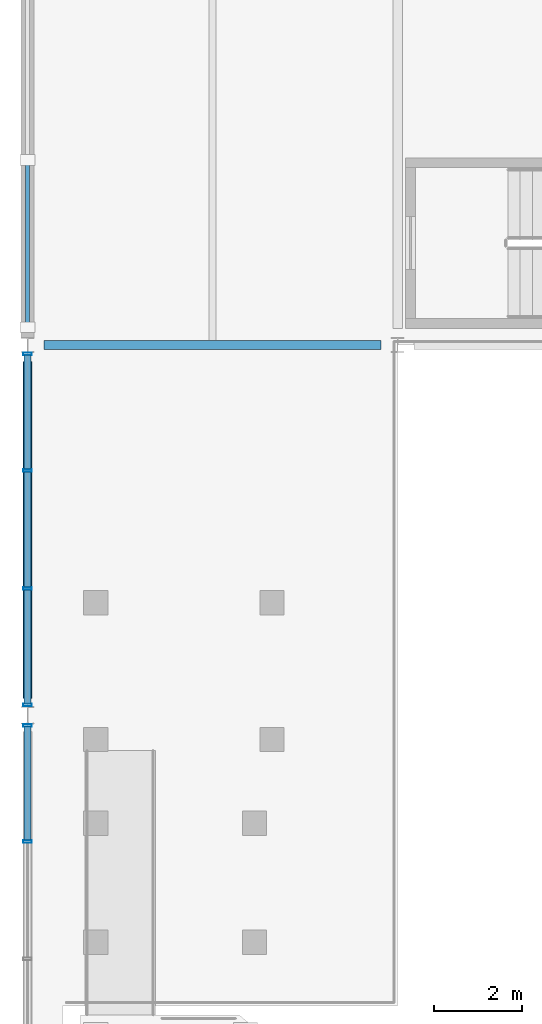
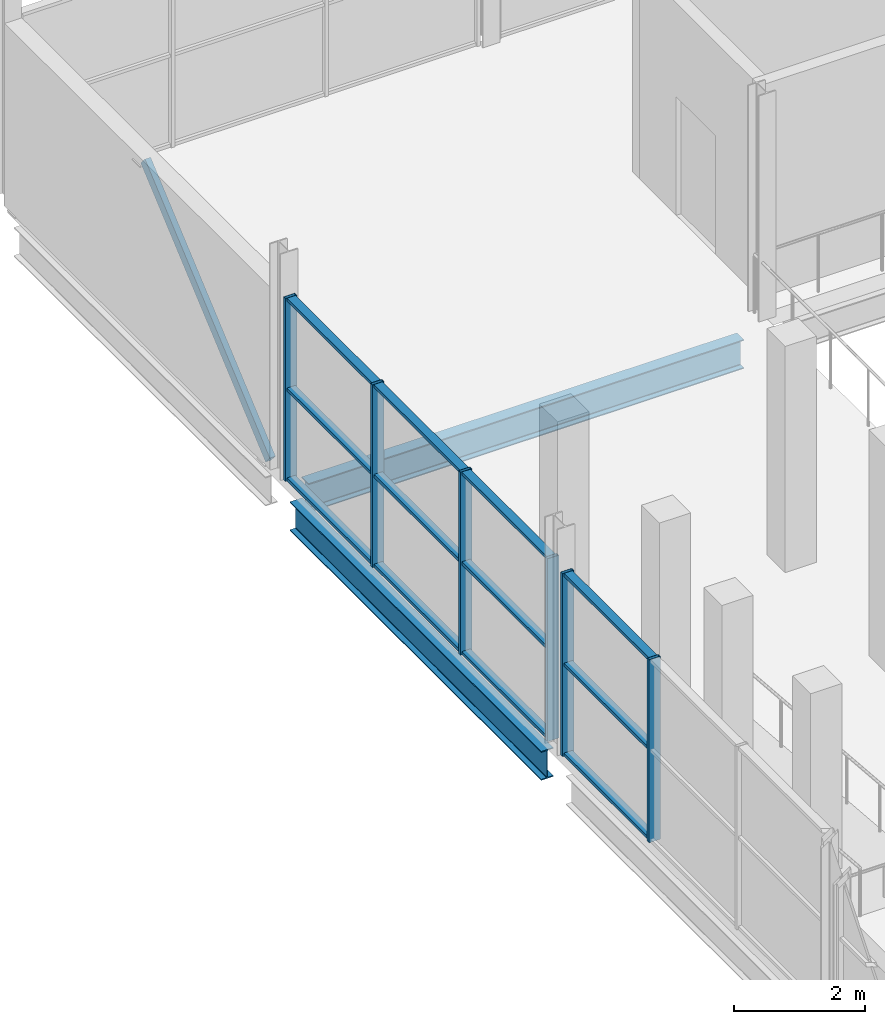
# One storey, part 48 of 161: 19 members, 2 beams, 2 elements without a shape of their own.
"""IFC4 building model written with IfcOpenShell, lengths in metres."""

from ifc_helpers import new_model, si_unit, direction, frame, origin, origin_2d, place, context, subcontext, project, spatial, hollow_rectangle, i_section, extrude, material, material_profile, profile_set, type_object, element, aggregate, save


model = new_model("IFC4")

# Units and contexts
model_context = context("Model", 3, precision=1e-05, world=origin(), true_north=direction((0.0, 1.0)))
body_context = subcontext(model_context, "Body", "Model", "MODEL_VIEW")
ifc_project = project(units=[si_unit("LENGTHUNIT", "METRE"), si_unit("AREAUNIT", "SQUARE_METRE"), si_unit("VOLUMEUNIT", "CUBIC_METRE"), si_unit("PLANEANGLEUNIT", "RADIAN"), si_unit("MASSUNIT", "GRAM", prefix="KILO"), si_unit("THERMODYNAMICTEMPERATUREUNIT", "KELVIN")], contexts=[model_context])

# Site, building, storey
site_placement = place(None, origin())
site = spatial("IfcSite", under=ifc_project, at=site_placement, CompositionType="ELEMENT")
building_placement = place(site_placement, origin())
building = spatial("IfcBuilding", under=site, at=building_placement, Name="Nduvali Passage Aquatics Centre", CompositionType="ELEMENT")
storey_placement = place(building_placement, frame((0.0, 0.0, 4.800048828125)))
storey = spatial("IfcBuildingStorey", under=building, at=storey_placement, Name="L01", CompositionType="ELEMENT", Elevation=4.800048828125)

# Curtain wall, members
ifc_material_1 = material(Name="Aluminium EN AW-6063 T6", Category="aluminium")
curtain_wall_type = type_object("IfcCurtainWallType", Name="ENV-CW-DIVE", PredefinedType="NOTDEFINED", material=ifc_material_1)
curtain_wall_1_placement = place(storey_placement, origin())
curtain_wall_1 = element("IfcCurtainWall", 1, at=curtain_wall_1_placement, inside=storey, type_object=curtain_wall_type, Name="L01 West Diving Tower Viewing CW 138", PredefinedType="NOTDEFINED")
ifc_material_profile_1 = material_profile(ifc_material_1, hollow_rectangle(XDim=0.06005859375, YDim=0.199951171875, WallThickness=0.00390625, at=origin_2d()), Name="ALU MULLION 60x200x4")
ifc_profile_set_1 = profile_set([ifc_material_profile_1], Name="Aluminium EN AW-6063 T6")
member_type_1 = type_object("IfcMemberType", Name="ENV-MEM-MUL80", PredefinedType="MULLION", material=ifc_profile_set_1)
member_1_placement = place(storey_placement, frame((0.0, 64.333251953125, 0.0), z_axis=(0.0, 0.0, 1.0), x_axis=(0.0, 1.0, 0.0)))
member_1 = element("IfcMember", 2, at=member_1_placement, type_object=member_type_1, Name="West Diving Tower Viewing CW Mullion 3", PredefinedType="MULLION", context=body_context, shape_type="SweptSolid", body=[
    extrude(hollow_rectangle(XDim=0.06005859375, YDim=0.199951171875, WallThickness=0.00390625, at=origin_2d()), origin(), (0.0, 0.0, 1.0), 3.396484375),
])
member_2_placement = place(storey_placement, frame((0.0, 66.969970703125, 0.0), z_axis=(0.0, 0.0, 1.0), x_axis=(0.0, 1.0, 0.0)))
member_2 = element("IfcMember", 3, at=member_2_placement, type_object=member_type_1, Name="West Diving Tower Viewing CW Mullion 4", PredefinedType="MULLION", context=body_context, shape_type="SweptSolid", body=[
    extrude(hollow_rectangle(XDim=0.06005859375, YDim=0.199951171875, WallThickness=0.00390625, at=origin_2d()), origin(), (0.0, 0.0, 1.0), 3.396484375),
])

curtain_wall_2_placement = place(storey_placement, origin())
curtain_wall_2 = element("IfcCurtainWall", 4, at=curtain_wall_2_placement, inside=storey, type_object=curtain_wall_type, Name="L01 West Diving Tower Viewing CW 143", PredefinedType="NOTDEFINED")
member_3_placement = place(storey_placement, frame((0.0, 67.429931640625, 0.0), z_axis=(0.0, 0.0, 1.0), x_axis=(0.0, 1.0, 0.0)))
member_3 = element("IfcMember", 5, at=member_3_placement, type_object=member_type_1, Name="West Diving Tower Viewing CW Mullion 1", PredefinedType="MULLION", context=body_context, shape_type="SweptSolid", body=[
    extrude(hollow_rectangle(XDim=0.06005859375, YDim=0.199951171875, WallThickness=0.00390625, at=origin_2d()), origin(), (0.0, 0.0, 1.0), 3.396484375),
])
member_4_placement = place(storey_placement, frame((0.0, 70.07666015625, 0.0), z_axis=(0.0, 0.0, 1.0), x_axis=(0.0, 1.0, 0.0)))
member_4 = element("IfcMember", 6, at=member_4_placement, type_object=member_type_1, Name="West Diving Tower Viewing CW Mullion 2", PredefinedType="MULLION", context=body_context, shape_type="SweptSolid", body=[
    extrude(hollow_rectangle(XDim=0.06005859375, YDim=0.199951171875, WallThickness=0.00390625, at=origin_2d()), origin(), (0.0, 0.0, 1.0), 3.396484375),
])
member_5_placement = place(storey_placement, frame((0.0, 72.75341796875, 0.0), z_axis=(0.0, 0.0, 1.0), x_axis=(0.0, 1.0, 0.0)))
member_5 = element("IfcMember", 7, at=member_5_placement, type_object=member_type_1, Name="West Diving Tower Viewing CW Mullion 3", PredefinedType="MULLION", context=body_context, shape_type="SweptSolid", body=[
    extrude(hollow_rectangle(XDim=0.06005859375, YDim=0.199951171875, WallThickness=0.00390625, at=origin_2d()), origin(), (0.0, 0.0, 1.0), 3.396484375),
])
member_6_placement = place(storey_placement, frame((0.0, 75.39990234375, 0.0), z_axis=(0.0, 0.0, 1.0), x_axis=(0.0, 1.0, 0.0)))
member_6 = element("IfcMember", 8, at=member_6_placement, type_object=member_type_1, Name="West Diving Tower Viewing CW Mullion 4", PredefinedType="MULLION", context=body_context, shape_type="SweptSolid", body=[
    extrude(hollow_rectangle(XDim=0.06005859375, YDim=0.199951171875, WallThickness=0.00390625, at=origin_2d()), origin(), (0.0, 0.0, 1.0), 3.396484375),
])

# Member
ifc_material_profile_2 = material_profile(ifc_material_1, hollow_rectangle(XDim=0.14990234375, YDim=0.06005859375, WallThickness=0.00390625, at=origin_2d()), Name="ALU TRANSOM 150x60x4")
ifc_profile_set_2 = profile_set([ifc_material_profile_2], Name="Aluminium EN AW-6063 T6")
member_type_2 = type_object("IfcMemberType", Name="ENV-MEM-TRN80", PredefinedType="USERDEFINED", material=ifc_profile_set_2)
member_7_placement = place(storey_placement, frame((0.0, 64.36328125, 0.030029296875), z_axis=(0.0, 1.0, 0.0), x_axis=(-1.0, 0.0, 0.0)))
member_7 = element("IfcMember", 9, at=member_7_placement, type_object=member_type_2, Name="West Diving Tower Viewing CW Transom B3-R0", ObjectType="TRANSOM", PredefinedType="USERDEFINED", context=body_context, shape_type="SweptSolid", body=[
    extrude(hollow_rectangle(XDim=0.14990234375, YDim=0.06005859375, WallThickness=0.00390625, at=origin_2d()), origin(), (0.0, 0.0, 1.0), 2.57666015625),
])

member_8_placement = place(storey_placement, frame((0.0, 64.36328125, 1.6982421875), z_axis=(0.0, 1.0, 0.0), x_axis=(-1.0, 0.0, 0.0)))
member_8 = element("IfcMember", 10, at=member_8_placement, type_object=member_type_2, Name="West Diving Tower Viewing CW Transom B3-R1", ObjectType="TRANSOM", PredefinedType="USERDEFINED", context=body_context, shape_type="SweptSolid", body=[
    extrude(hollow_rectangle(XDim=0.14990234375, YDim=0.06005859375, WallThickness=0.00390625, at=origin_2d()), origin(), (0.0, 0.0, 1.0), 2.57666015625),
])

member_9_placement = place(storey_placement, frame((0.0, 64.36328125, 3.366455078125), z_axis=(0.0, 1.0, 0.0), x_axis=(-1.0, 0.0, 0.0)))
member_9 = element("IfcMember", 11, at=member_9_placement, type_object=member_type_2, Name="West Diving Tower Viewing CW Transom B3-R2", ObjectType="TRANSOM", PredefinedType="USERDEFINED", context=body_context, shape_type="SweptSolid", body=[
    extrude(hollow_rectangle(XDim=0.14990234375, YDim=0.06005859375, WallThickness=0.00390625, at=origin_2d()), origin(), (0.0, 0.0, 1.0), 2.57666015625),
])

aggregate(curtain_wall_1, [member_1, member_2, member_7, member_8, member_9])

member_10_placement = place(storey_placement, frame((0.0, 67.4599609375, 0.030029296875), z_axis=(0.0, 1.0, 0.0), x_axis=(-1.0, 0.0, 0.0)))
member_10 = element("IfcMember", 12, at=member_10_placement, type_object=member_type_2, Name="West Diving Tower Viewing CW Transom B1-R0", ObjectType="TRANSOM", PredefinedType="USERDEFINED", context=body_context, shape_type="SweptSolid", body=[
    extrude(hollow_rectangle(XDim=0.14990234375, YDim=0.06005859375, WallThickness=0.00390625, at=origin_2d()), origin(), (0.0, 0.0, 1.0), 2.586669921875),
])

member_11_placement = place(storey_placement, frame((0.0, 67.4599609375, 1.6982421875), z_axis=(0.0, 1.0, 0.0), x_axis=(-1.0, 0.0, 0.0)))
member_11 = element("IfcMember", 13, at=member_11_placement, type_object=member_type_2, Name="West Diving Tower Viewing CW Transom B1-R1", ObjectType="TRANSOM", PredefinedType="USERDEFINED", context=body_context, shape_type="SweptSolid", body=[
    extrude(hollow_rectangle(XDim=0.14990234375, YDim=0.06005859375, WallThickness=0.00390625, at=origin_2d()), origin(), (0.0, 0.0, 1.0), 2.586669921875),
])

member_12_placement = place(storey_placement, frame((0.0, 67.4599609375, 3.366455078125), z_axis=(0.0, 1.0, 0.0), x_axis=(-1.0, 0.0, 0.0)))
member_12 = element("IfcMember", 14, at=member_12_placement, type_object=member_type_2, Name="West Diving Tower Viewing CW Transom B1-R2", ObjectType="TRANSOM", PredefinedType="USERDEFINED", context=body_context, shape_type="SweptSolid", body=[
    extrude(hollow_rectangle(XDim=0.14990234375, YDim=0.06005859375, WallThickness=0.00390625, at=origin_2d()), origin(), (0.0, 0.0, 1.0), 2.586669921875),
])

member_13_placement = place(storey_placement, frame((0.0, 70.106689453125, 0.030029296875), z_axis=(0.0, 1.0, 0.0), x_axis=(-1.0, 0.0, 0.0)))
member_13 = element("IfcMember", 15, at=member_13_placement, type_object=member_type_2, Name="West Diving Tower Viewing CW Transom B2-R0", ObjectType="TRANSOM", PredefinedType="USERDEFINED", context=body_context, shape_type="SweptSolid", body=[
    extrude(hollow_rectangle(XDim=0.14990234375, YDim=0.06005859375, WallThickness=0.00390625, at=origin_2d()), origin(), (0.0, 0.0, 1.0), 2.61669921875),
])

member_14_placement = place(storey_placement, frame((0.0, 70.106689453125, 1.6982421875), z_axis=(0.0, 1.0, 0.0), x_axis=(-1.0, 0.0, 0.0)))
member_14 = element("IfcMember", 16, at=member_14_placement, type_object=member_type_2, Name="West Diving Tower Viewing CW Transom B2-R1", ObjectType="TRANSOM", PredefinedType="USERDEFINED", context=body_context, shape_type="SweptSolid", body=[
    extrude(hollow_rectangle(XDim=0.14990234375, YDim=0.06005859375, WallThickness=0.00390625, at=origin_2d()), origin(), (0.0, 0.0, 1.0), 2.61669921875),
])

member_15_placement = place(storey_placement, frame((0.0, 70.106689453125, 3.366455078125), z_axis=(0.0, 1.0, 0.0), x_axis=(-1.0, 0.0, 0.0)))
member_15 = element("IfcMember", 17, at=member_15_placement, type_object=member_type_2, Name="West Diving Tower Viewing CW Transom B2-R2", ObjectType="TRANSOM", PredefinedType="USERDEFINED", context=body_context, shape_type="SweptSolid", body=[
    extrude(hollow_rectangle(XDim=0.14990234375, YDim=0.06005859375, WallThickness=0.00390625, at=origin_2d()), origin(), (0.0, 0.0, 1.0), 2.61669921875),
])

member_16_placement = place(storey_placement, frame((0.0, 72.783203125, 0.030029296875), z_axis=(0.0, 1.0, 0.0), x_axis=(-1.0, 0.0, 0.0)))
member_16 = element("IfcMember", 18, at=member_16_placement, type_object=member_type_2, Name="West Diving Tower Viewing CW Transom B3-R0", ObjectType="TRANSOM", PredefinedType="USERDEFINED", context=body_context, shape_type="SweptSolid", body=[
    extrude(hollow_rectangle(XDim=0.14990234375, YDim=0.06005859375, WallThickness=0.00390625, at=origin_2d()), origin(), (0.0, 0.0, 1.0), 2.5869140625),
])

member_17_placement = place(storey_placement, frame((0.0, 72.783203125, 1.6982421875), z_axis=(0.0, 1.0, 0.0), x_axis=(-1.0, 0.0, 0.0)))
member_17 = element("IfcMember", 19, at=member_17_placement, type_object=member_type_2, Name="West Diving Tower Viewing CW Transom B3-R1", ObjectType="TRANSOM", PredefinedType="USERDEFINED", context=body_context, shape_type="SweptSolid", body=[
    extrude(hollow_rectangle(XDim=0.14990234375, YDim=0.06005859375, WallThickness=0.00390625, at=origin_2d()), origin(), (0.0, 0.0, 1.0), 2.5869140625),
])

member_18_placement = place(storey_placement, frame((0.0, 72.783203125, 3.366455078125), z_axis=(0.0, 1.0, 0.0), x_axis=(-1.0, 0.0, 0.0)))
member_18 = element("IfcMember", 20, at=member_18_placement, type_object=member_type_2, Name="West Diving Tower Viewing CW Transom B3-R2", ObjectType="TRANSOM", PredefinedType="USERDEFINED", context=body_context, shape_type="SweptSolid", body=[
    extrude(hollow_rectangle(XDim=0.14990234375, YDim=0.06005859375, WallThickness=0.00390625, at=origin_2d()), origin(), (0.0, 0.0, 1.0), 2.5869140625),
])

aggregate(curtain_wall_2, [member_3, member_4, member_5, member_6, member_10, member_11, member_12, member_13, member_14, member_15, member_16, member_17, member_18])

# Beams
ifc_material_2 = material(Name="Steel S355", Category="steel")
ifc_material_profile_3 = material_profile(ifc_material_2, i_section(OverallWidth=0.210693359375, OverallDepth=0.53955078125, WebThickness=0.01171875, FlangeThickness=0.018798828125, FilletRadius=0.0126953125, at=origin_2d()), Name="UKB 533x210x109")
ifc_profile_set_3 = profile_set([ifc_material_profile_3], Name="Steel S355")
beam_type_1 = type_object("IfcBeamType", Name="STR-BM-UKB533", PredefinedType="BEAM", material=ifc_profile_set_3)
beam_1_placement = place(storey_placement, frame((0.375, 75.60009765625, -0.553955078125), z_axis=(1.0, 0.0, 0.0), x_axis=(0.0, 1.0, 0.0)))
element("IfcBeam", 21, at=beam_1_placement, inside=storey, type_object=beam_type_1, Name="L01 Primary X-Girder B6-0499", PredefinedType="BEAM", context=body_context, shape_type="SweptSolid", body=[
    extrude(i_section(OverallWidth=0.210693359375, OverallDepth=0.53955078125, WebThickness=0.01171875, FlangeThickness=0.018798828125, FilletRadius=0.0126953125, at=origin_2d()), origin(), (0.0, 0.0, 1.0), 7.64990234375),
])
ifc_material_profile_4 = material_profile(ifc_material_2, i_section(OverallWidth=0.210693359375, OverallDepth=0.53955078125, WebThickness=0.01171875, FlangeThickness=0.018798828125, FilletRadius=0.0126953125, at=origin_2d()), Name="UKB 533x210x109")
ifc_profile_set_4 = profile_set([ifc_material_profile_4], Name="Steel S355")
beam_type_2 = type_object("IfcBeamType", Name="STR-BM-UKB533-EXT", PredefinedType="BEAM", material=ifc_profile_set_4)
beam_2_placement = place(storey_placement, frame((0.0, 67.574951171875, -0.553955078125), z_axis=(0.0, 1.0, 0.0), x_axis=(-1.0, 0.0, 0.0)))
element("IfcBeam", 22, at=beam_2_placement, inside=storey, type_object=beam_type_2, Name="L01 Primary Y-Girder B6E-0562", PredefinedType="BEAM", context=body_context, shape_type="SweptSolid", body=[
    extrude(i_section(OverallWidth=0.210693359375, OverallDepth=0.53955078125, WebThickness=0.01171875, FlangeThickness=0.018798828125, FilletRadius=0.0126953125, at=origin_2d()), origin(), (0.0, 0.0, 1.0), 7.650146484375),
])

# Member
ifc_material_profile_5 = material_profile(ifc_material_2, hollow_rectangle(XDim=0.10009765625, YDim=0.199951171875, WallThickness=0.00634765625, at=origin_2d()), Name="RHS 200x100x6.3")
ifc_profile_set_5 = profile_set([ifc_material_profile_5], Name="Steel S355")
member_type_3 = type_object("IfcMemberType", Name="STR-MEM-RHS200", PredefinedType="BRACE", material=ifc_profile_set_5)
member_19_placement = place(storey_placement, frame((0.0, 76.0, 0.0), z_axis=(0.0, 0.759966128162, 0.649962678965), x_axis=(-1.0, 0.0, 0.0)))
element("IfcMember", 23, at=member_19_placement, inside=storey, type_object=member_type_3, Name="L01 Chevron Frame Brace 4L", PredefinedType="BRACE", context=body_context, shape_type="SweptSolid", body=[
    extrude(hollow_rectangle(XDim=0.10009765625, YDim=0.199951171875, WallThickness=0.00634765625, at=origin_2d()), origin(), (0.0, 0.0, 1.0), 5.000244140625),
])

save(model, "model.ifc")
